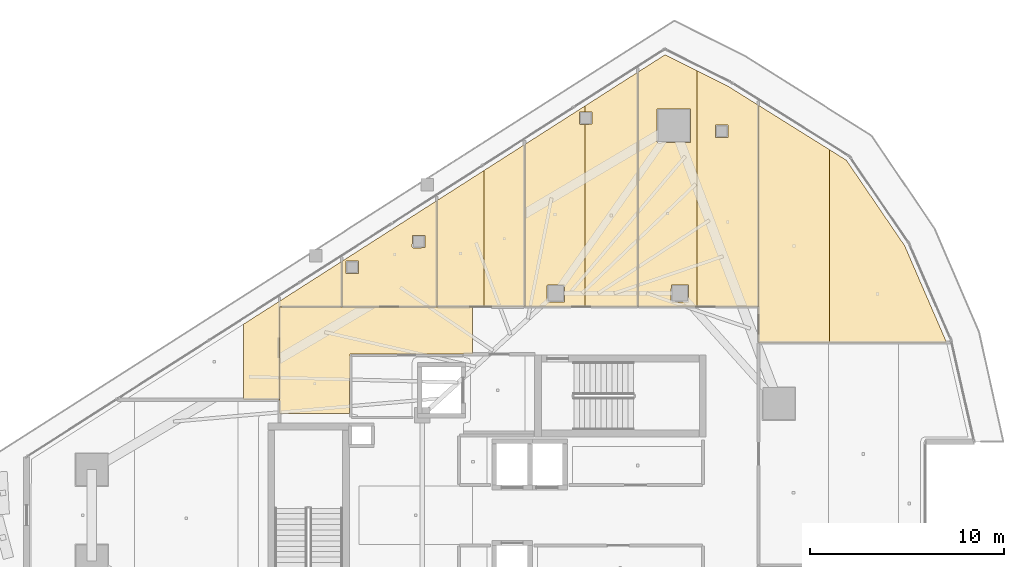
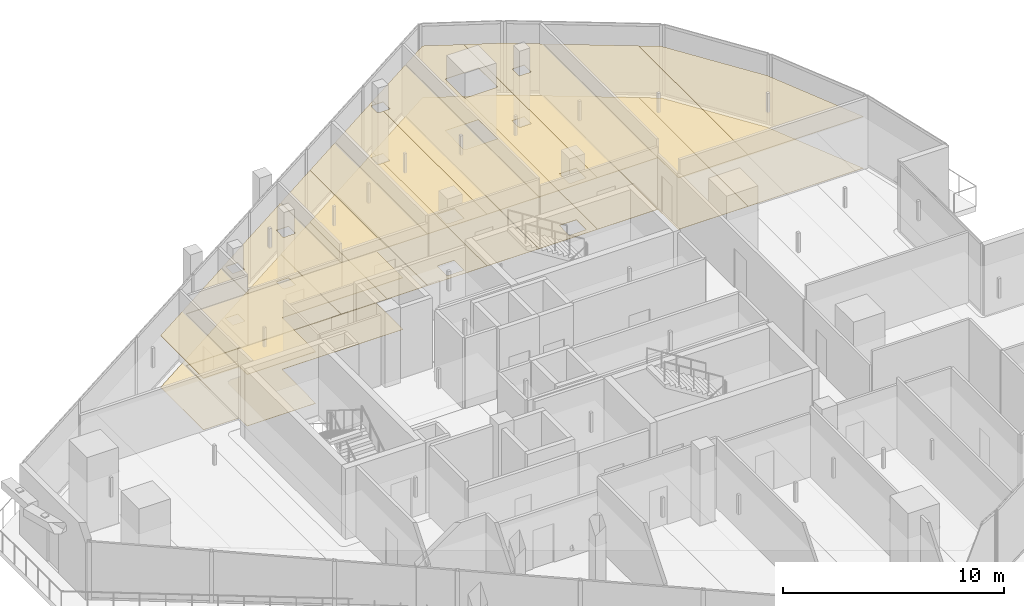
# One storey, part 36 of 36: 22 coverings.
"""IFC4 building model written with IfcOpenShell, lengths in metres."""

from ifc_helpers import new_model, si_unit, direction, frame, origin, place, context, subcontext, project, spatial, polyline, outline, extrude, material, layer, layer_set, type_object, element, save


model = new_model("IFC4")

# Units and contexts
model_context = context("Model", 3, precision=1e-05, world=origin(), true_north=direction((0.0, 1.0)))
body_context = subcontext(model_context, "Body", "Model", "MODEL_VIEW")
ifc_project = project(units=[si_unit("LENGTHUNIT", "METRE"), si_unit("AREAUNIT", "SQUARE_METRE"), si_unit("VOLUMEUNIT", "CUBIC_METRE"), si_unit("PLANEANGLEUNIT", "RADIAN"), si_unit("MASSUNIT", "GRAM", prefix="KILO")], contexts=[model_context])

# Site, building, storey
site_placement = place(None, origin())
site = spatial("IfcSite", under=ifc_project, at=site_placement, CompositionType="ELEMENT")
building_placement = place(site_placement, origin())
building = spatial("IfcBuilding", under=site, at=building_placement, Name="Qorvath Tower", CompositionType="ELEMENT")
storey_placement = place(building_placement, frame((0.0, 0.0, 272.39990234375)))
storey = spatial("IfcBuildingStorey", under=building, at=storey_placement, Name="L63", CompositionType="ELEMENT", Elevation=272.39990234375)

# Coverings
ifc_material_1 = material(Name="Acoustic mineral fibre ceiling tile", Category="gypsum")
ifc_layer_1 = layer(ifc_material_1, 0.030029296875)
ifc_layer_set_1 = layer_set([ifc_layer_1], Name="COV-CEIL")
covering_type_1 = type_object("IfcCoveringType", Name="COV-CEIL", PredefinedType="CEILING", material=ifc_layer_set_1)
covering_1_placement = place(storey_placement, frame((0.0, 0.0, 2.85009765625)))
element("IfcCovering", 1, at=covering_1_placement, inside=storey, type_object=covering_type_1, Name="L63 Suspended Acoustic Ceiling 010", PredefinedType="CEILING", context=body_context, shape_type="SweptSolid", body=[
    extrude(outline(polyline([(-27.8984375, 8.324951171875), (-27.8984375, 10.7451171875), (-37.844970703125, 10.7451171875), (-37.844970703125, 5.239990234375), (-34.2509765625, 5.239990234375), (-34.219970703125, 8.324951171875), (-27.8984375, 8.324951171875)])), origin(), (0.0, 0.0, 1.0), 0.030029296875),
])
covering_2_placement = place(storey_placement, frame((0.0, 0.0, 2.85009765625)))
element("IfcCovering", 2, at=covering_2_placement, inside=storey, type_object=covering_type_1, Name="L63 Suspended Acoustic Ceiling 012", PredefinedType="CEILING", context=body_context, shape_type="SweptSolid", body=[
    extrude(outline(polyline([(-29.743896484375, 16.228759765625), (-34.64501953125, 13.09619140625), (-34.64501953125, 10.762939453125), (-29.743896484375, 10.762939453125), (-29.743896484375, 16.228759765625)]), holes=[polyline([(-30.99462890625, 14.441650390625), (-30.35986328125, 14.441650390625), (-30.35986328125, 13.806884765625), (-30.9521484375, 13.789306640625), (-31.01220703125, 13.849365234375), (-30.99462890625, 14.441650390625)]), polyline([(-34.421630859375, 13.10986328125), (-33.786865234375, 13.10986328125), (-33.786865234375, 12.47509765625), (-34.421630859375, 12.47509765625), (-34.421630859375, 13.10986328125)])]), origin(), (0.0, 0.0, 1.0), 0.030029296875),
])
covering_3_placement = place(storey_placement, frame((0.0, 0.0, 2.85009765625)))
element("IfcCovering", 3, at=covering_3_placement, inside=storey, type_object=covering_type_1, Name="L63 Suspended Acoustic Ceiling 013", PredefinedType="CEILING", context=body_context, shape_type="SweptSolid", body=[
    extrude(outline(polyline([(-29.725830078125, 10.762939453125), (-27.3154296875, 10.762939453125), (-27.3154296875, 17.78076171875), (-29.725830078125, 16.240234375), (-29.725830078125, 10.762939453125)])), origin(), (0.0, 0.0, 1.0), 0.030029296875),
])
covering_4_placement = place(storey_placement, frame((0.0, 0.0, 2.85009765625)))
element("IfcCovering", 4, at=covering_4_placement, inside=storey, type_object=covering_type_1, Name="L63 Suspended Acoustic Ceiling 014", PredefinedType="CEILING", context=body_context, shape_type="SweptSolid", body=[
    extrude(outline(polyline([(-27.3154296875, 17.78076171875), (-27.3154296875, 10.762939453125), (-25.218017578125, 10.762939453125), (-25.218017578125, 19.121337890625), (-27.3154296875, 17.78076171875)])), origin(), (0.0, 0.0, 1.0), 0.030029296875),
])
covering_5_placement = place(storey_placement, frame((0.0, 0.0, 2.85009765625)))
element("IfcCovering", 5, at=covering_5_placement, inside=storey, type_object=covering_type_1, Name="L63 Suspended Acoustic Ceiling 015", PredefinedType="CEILING", context=body_context, shape_type="SweptSolid", body=[
    extrude(outline(polyline([(-25.199951171875, 10.762939453125), (-22.093017578125, 10.762939453125), (-22.093017578125, 20.1669921875), (-22.328125, 20.159912109375), (-22.38818359375, 20.219970703125), (-22.37060546875, 20.812255859375), (-22.093017578125, 20.812255859375), (-22.093017578125, 21.11865234375), (-25.199951171875, 19.1328125), (-25.199951171875, 10.762939453125)]), holes=[polyline([(-24.06005859375, 11.050048828125), (-24.04248046875, 11.892333984375), (-23.157470703125, 11.892333984375), (-23.157470703125, 11.007568359375), (-24.0, 10.989990234375), (-24.06005859375, 11.050048828125)])]), origin(), (0.0, 0.0, 1.0), 0.030029296875),
])
covering_6_placement = place(storey_placement, frame((0.0, 0.0, 2.85009765625)))
element("IfcCovering", 6, at=covering_6_placement, inside=storey, type_object=covering_type_1, Name="L63 Suspended Acoustic Ceiling 016", PredefinedType="CEILING", context=body_context, shape_type="SweptSolid", body=[
    extrude(outline(polyline([(-22.093017578125, 21.11865234375), (-22.093017578125, 20.812255859375), (-21.73583984375, 20.812255859375), (-21.73583984375, 20.177490234375), (-22.093017578125, 20.1669921875), (-22.093017578125, 10.762939453125), (-19.379150390625, 10.762939453125), (-19.379150390625, 22.853271484375), (-22.093017578125, 21.11865234375)])), origin(), (0.0, 0.0, 1.0), 0.030029296875),
])
covering_7_placement = place(storey_placement, frame((0.0, 0.0, 2.85009765625)))
element("IfcCovering", 7, at=covering_7_placement, inside=storey, type_object=covering_type_1, Name="L63 Suspended Acoustic Ceiling 017", PredefinedType="CEILING", context=body_context, shape_type="SweptSolid", body=[
    extrude(outline(polyline([(-19.361083984375, 22.86474609375), (-19.361083984375, 10.762939453125), (-16.305419921875, 10.762939453125), (-16.305419921875, 22.9228515625), (-17.96875, 23.75439453125), (-19.361083984375, 22.86474609375)]), holes=[polyline([(-18.400390625, 19.276611328125), (-18.3828125, 20.968994140625), (-16.648193359375, 20.968994140625), (-16.648193359375, 19.234130859375), (-18.340576171875, 19.216552734375), (-18.400390625, 19.276611328125)]), polyline([(-17.659912109375, 11.050048828125), (-17.642333984375, 11.892333984375), (-16.757568359375, 11.892333984375), (-16.757568359375, 11.007568359375), (-17.60009765625, 10.989990234375), (-17.659912109375, 11.050048828125)])]), origin(), (0.0, 0.0, 1.0), 0.030029296875),
])
covering_8_placement = place(storey_placement, frame((0.0, 0.0, 2.85009765625)))
element("IfcCovering", 8, at=covering_8_placement, inside=storey, type_object=covering_type_1, Name="L63 Suspended Acoustic Ceiling 018", PredefinedType="CEILING", context=body_context, shape_type="SweptSolid", body=[
    extrude(outline(polyline([(-16.305419921875, 22.9228515625), (-16.305419921875, 10.762939453125), (-13.155029296875, 10.762939453125), (-13.155029296875, 21.156982421875), (-14.673828125, 22.107177734375), (-16.305419921875, 22.9228515625)]), holes=[polyline([(-15.363525390625, 19.500732421875), (-15.363525390625, 20.135498046875), (-14.728759765625, 20.135498046875), (-14.728759765625, 19.500732421875), (-15.363525390625, 19.500732421875)])]), origin(), (0.0, 0.0, 1.0), 0.030029296875),
])
covering_9_placement = place(storey_placement, frame((0.0, 0.0, 2.85009765625)))
element("IfcCovering", 9, at=covering_9_placement, inside=storey, type_object=covering_type_1, Name="L63 Suspended Acoustic Ceiling 033", PredefinedType="CEILING", context=body_context, shape_type="SweptSolid", body=[
    extrude(outline(polyline([(-13.136962890625, 8.921630859375), (-9.48486328125, 8.921630859375), (-9.48486328125, 18.861083984375), (-13.136962890625, 21.145751953125), (-13.136962890625, 8.921630859375)])), origin(), (0.0, 0.0, 1.0), 0.030029296875),
])
covering_10_placement = place(storey_placement, frame((0.0, 0.0, 2.85009765625)))
element("IfcCovering", 10, at=covering_10_placement, inside=storey, type_object=covering_type_1, Name="L63 Suspended Acoustic Ceiling 034", PredefinedType="CEILING", context=body_context, shape_type="SweptSolid", body=[
    extrude(outline(polyline([(-9.48486328125, 18.861083984375), (-9.48486328125, 8.921630859375), (-3.446044921875, 8.921630859375), (-5.60498046875, 13.90478515625), (-8.60986328125, 18.3134765625), (-9.48486328125, 18.861083984375)])), origin(), (0.0, 0.0, 1.0), 0.030029296875),
])
covering_11_placement = place(storey_placement, frame((0.0, 0.0, 2.85009765625)))
element("IfcCovering", 11, at=covering_11_placement, inside=storey, type_object=covering_type_1, Name="L63 Suspended Acoustic Ceiling 039", PredefinedType="CEILING", context=body_context, shape_type="SweptSolid", body=[
    extrude(outline(polyline([(-37.85791015625, 10.762939453125), (-34.6630859375, 10.762939453125), (-34.6630859375, 13.084716796875), (-39.70654296875, 9.861328125), (-39.70654296875, 5.970703125), (-37.863037109375, 5.970703125), (-37.85791015625, 10.762939453125)])), origin(), (0.0, 0.0, 1.0), 0.030029296875),
])
ifc_material_2 = material(Name="Low-VOC modular carpet tile", Category="textile")
ifc_layer_2 = layer(ifc_material_2, 0.014892578125)
ifc_layer_set_2 = layer_set([ifc_layer_2], Name="COV-FLOOR-CPT")
covering_type_2 = type_object("IfcCoveringType", Name="COV-FLOOR-CPT", PredefinedType="FLOORING", material=ifc_layer_set_2)
covering_12_placement = place(storey_placement, origin())
element("IfcCovering", 12, at=covering_12_placement, inside=storey, type_object=covering_type_2, Name="L63 Floor Finish 012", PredefinedType="FLOORING", context=body_context, shape_type="SweptSolid", body=[
    extrude(outline(polyline([(-29.743896484375, 16.228759765625), (-34.64501953125, 13.09619140625), (-34.64501953125, 10.762939453125), (-29.743896484375, 10.762939453125), (-29.743896484375, 16.228759765625)]), holes=[polyline([(-30.99462890625, 14.441650390625), (-30.35986328125, 14.441650390625), (-30.35986328125, 13.806884765625), (-30.9521484375, 13.789306640625), (-31.01220703125, 13.849365234375), (-30.99462890625, 14.441650390625)]), polyline([(-34.421630859375, 13.10986328125), (-33.786865234375, 13.10986328125), (-33.786865234375, 12.47509765625), (-34.421630859375, 12.47509765625), (-34.421630859375, 13.10986328125)])]), origin(), (0.0, 0.0, 1.0), 0.01513671875),
])
covering_13_placement = place(storey_placement, origin())
element("IfcCovering", 13, at=covering_13_placement, inside=storey, type_object=covering_type_2, Name="L63 Floor Finish 013", PredefinedType="FLOORING", context=body_context, shape_type="SweptSolid", body=[
    extrude(outline(polyline([(-29.725830078125, 10.762939453125), (-27.3154296875, 10.762939453125), (-27.3154296875, 17.78076171875), (-29.725830078125, 16.240234375), (-29.725830078125, 10.762939453125)])), origin(), (0.0, 0.0, 1.0), 0.01513671875),
])
covering_14_placement = place(storey_placement, origin())
element("IfcCovering", 14, at=covering_14_placement, inside=storey, type_object=covering_type_2, Name="L63 Floor Finish 014", PredefinedType="FLOORING", context=body_context, shape_type="SweptSolid", body=[
    extrude(outline(polyline([(-27.3154296875, 17.78076171875), (-27.3154296875, 10.762939453125), (-25.218017578125, 10.762939453125), (-25.218017578125, 19.121337890625), (-27.3154296875, 17.78076171875)])), origin(), (0.0, 0.0, 1.0), 0.01513671875),
])
covering_15_placement = place(storey_placement, origin())
element("IfcCovering", 15, at=covering_15_placement, inside=storey, type_object=covering_type_2, Name="L63 Floor Finish 015", PredefinedType="FLOORING", context=body_context, shape_type="SweptSolid", body=[
    extrude(outline(polyline([(-25.199951171875, 10.762939453125), (-22.093017578125, 10.762939453125), (-22.093017578125, 20.1669921875), (-22.328125, 20.159912109375), (-22.38818359375, 20.219970703125), (-22.37060546875, 20.812255859375), (-22.093017578125, 20.812255859375), (-22.093017578125, 21.11865234375), (-25.199951171875, 19.1328125), (-25.199951171875, 10.762939453125)]), holes=[polyline([(-24.06005859375, 11.050048828125), (-24.04248046875, 11.892333984375), (-23.157470703125, 11.892333984375), (-23.157470703125, 11.007568359375), (-24.0, 10.989990234375), (-24.06005859375, 11.050048828125)])]), origin(), (0.0, 0.0, 1.0), 0.01513671875),
])
covering_16_placement = place(storey_placement, origin())
element("IfcCovering", 16, at=covering_16_placement, inside=storey, type_object=covering_type_2, Name="L63 Floor Finish 016", PredefinedType="FLOORING", context=body_context, shape_type="SweptSolid", body=[
    extrude(outline(polyline([(-22.093017578125, 21.11865234375), (-22.093017578125, 20.812255859375), (-21.73583984375, 20.812255859375), (-21.73583984375, 20.177490234375), (-22.093017578125, 20.1669921875), (-22.093017578125, 10.762939453125), (-19.379150390625, 10.762939453125), (-19.379150390625, 22.853271484375), (-22.093017578125, 21.11865234375)])), origin(), (0.0, 0.0, 1.0), 0.01513671875),
])
covering_17_placement = place(storey_placement, origin())
element("IfcCovering", 17, at=covering_17_placement, inside=storey, type_object=covering_type_2, Name="L63 Floor Finish 017", PredefinedType="FLOORING", context=body_context, shape_type="SweptSolid", body=[
    extrude(outline(polyline([(-19.361083984375, 22.86474609375), (-19.361083984375, 10.762939453125), (-16.305419921875, 10.762939453125), (-16.305419921875, 22.9228515625), (-17.96875, 23.75439453125), (-19.361083984375, 22.86474609375)]), holes=[polyline([(-18.400390625, 19.276611328125), (-18.3828125, 20.968994140625), (-16.648193359375, 20.968994140625), (-16.648193359375, 19.234130859375), (-18.340576171875, 19.216552734375), (-18.400390625, 19.276611328125)]), polyline([(-17.659912109375, 11.050048828125), (-17.642333984375, 11.892333984375), (-16.757568359375, 11.892333984375), (-16.757568359375, 11.007568359375), (-17.60009765625, 10.989990234375), (-17.659912109375, 11.050048828125)])]), origin(), (0.0, 0.0, 1.0), 0.01513671875),
])
covering_18_placement = place(storey_placement, origin())
element("IfcCovering", 18, at=covering_18_placement, inside=storey, type_object=covering_type_2, Name="L63 Floor Finish 018", PredefinedType="FLOORING", context=body_context, shape_type="SweptSolid", body=[
    extrude(outline(polyline([(-16.305419921875, 22.9228515625), (-16.305419921875, 10.762939453125), (-13.155029296875, 10.762939453125), (-13.155029296875, 21.156982421875), (-14.673828125, 22.107177734375), (-16.305419921875, 22.9228515625)]), holes=[polyline([(-15.363525390625, 19.500732421875), (-15.363525390625, 20.135498046875), (-14.728759765625, 20.135498046875), (-14.728759765625, 19.500732421875), (-15.363525390625, 19.500732421875)])]), origin(), (0.0, 0.0, 1.0), 0.01513671875),
])
covering_19_placement = place(storey_placement, origin())
element("IfcCovering", 19, at=covering_19_placement, inside=storey, type_object=covering_type_2, Name="L63 Floor Finish 033", PredefinedType="FLOORING", context=body_context, shape_type="SweptSolid", body=[
    extrude(outline(polyline([(-13.136962890625, 8.921630859375), (-9.48486328125, 8.921630859375), (-9.48486328125, 18.861083984375), (-13.136962890625, 21.145751953125), (-13.136962890625, 8.921630859375)])), origin(), (0.0, 0.0, 1.0), 0.01513671875),
])
covering_20_placement = place(storey_placement, origin())
element("IfcCovering", 20, at=covering_20_placement, inside=storey, type_object=covering_type_2, Name="L63 Floor Finish 034", PredefinedType="FLOORING", context=body_context, shape_type="SweptSolid", body=[
    extrude(outline(polyline([(-9.48486328125, 18.861083984375), (-9.48486328125, 8.921630859375), (-3.446044921875, 8.921630859375), (-5.60498046875, 13.90478515625), (-8.60986328125, 18.3134765625), (-9.48486328125, 18.861083984375)])), origin(), (0.0, 0.0, 1.0), 0.01513671875),
])
covering_21_placement = place(storey_placement, origin())
element("IfcCovering", 21, at=covering_21_placement, inside=storey, type_object=covering_type_2, Name="L63 Floor Finish 039", PredefinedType="FLOORING", context=body_context, shape_type="SweptSolid", body=[
    extrude(outline(polyline([(-37.85791015625, 10.762939453125), (-34.6630859375, 10.762939453125), (-34.6630859375, 13.084716796875), (-39.70654296875, 9.861328125), (-39.70654296875, 5.970703125), (-37.863037109375, 5.970703125), (-37.85791015625, 10.762939453125)])), origin(), (0.0, 0.0, 1.0), 0.01513671875),
])
ifc_material_3 = material(Name="Polished epoxy terrazzo flooring", Category="concrete")
ifc_layer_3 = layer(ifc_material_3, 0.02001953125)
ifc_layer_set_3 = layer_set([ifc_layer_3], Name="COV-FLOOR-TRZ")
covering_type_3 = type_object("IfcCoveringType", Name="COV-FLOOR-TRZ", PredefinedType="FLOORING", material=ifc_layer_set_3)
covering_22_placement = place(storey_placement, origin())
element("IfcCovering", 22, at=covering_22_placement, inside=storey, type_object=covering_type_3, Name="L63 Floor Finish 010", PredefinedType="FLOORING", context=body_context, shape_type="SweptSolid", body=[
    extrude(outline(polyline([(-27.8984375, 8.324951171875), (-27.8984375, 10.7451171875), (-37.844970703125, 10.7451171875), (-37.844970703125, 5.239990234375), (-34.2509765625, 5.239990234375), (-34.219970703125, 8.324951171875), (-27.8984375, 8.324951171875)])), origin(), (0.0, 0.0, 1.0), 0.01513671875),
])

save(model, "model.ifc")
